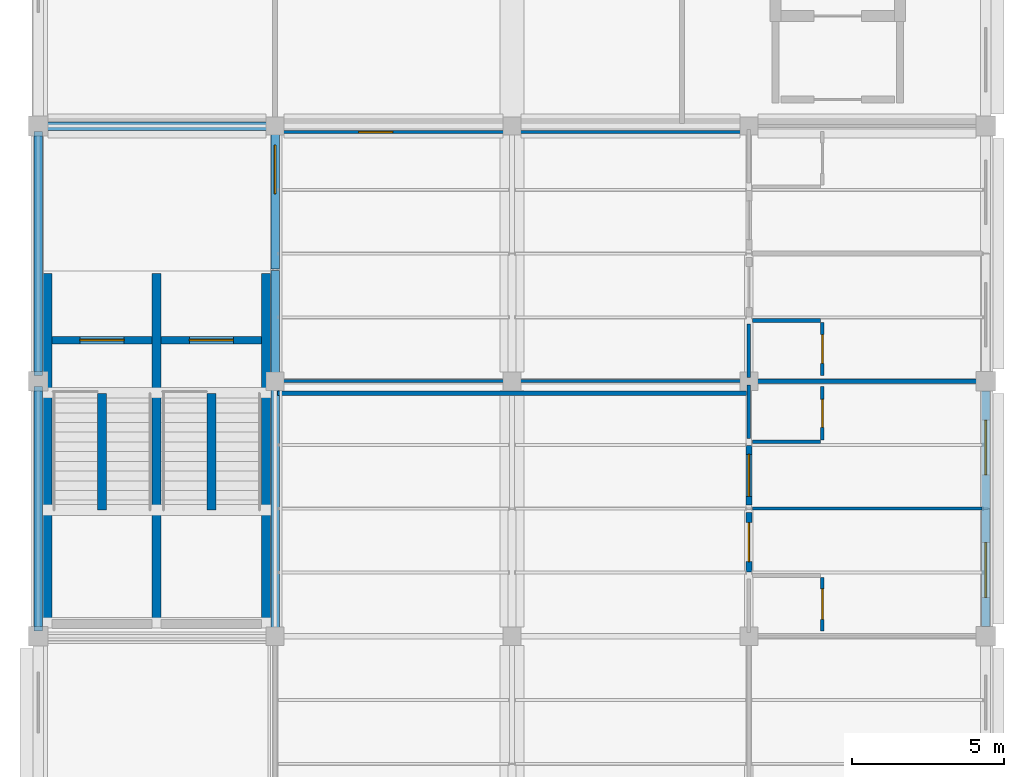
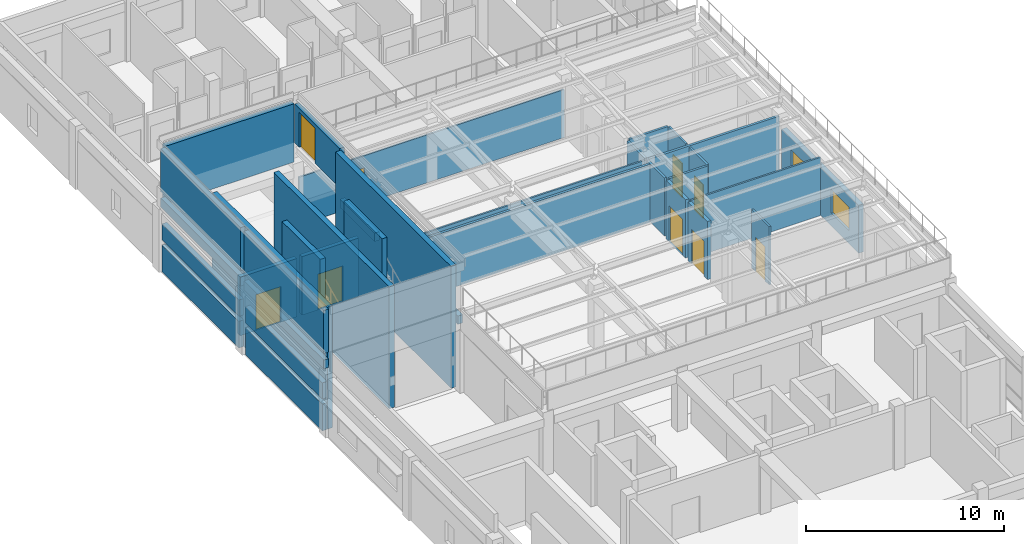
# One storey, part 16 of 20: 34 walls, 9 doors, 2 windows, 11 openings.
"""IFC4 building model written with IfcOpenShell, lengths in metres."""

from ifc_helpers import new_model, si_unit, direction, frame, frame_2d, origin, place, context, subcontext, project, spatial, rectangle, extrude, material, layer, layer_set, type_object, element, fill, save


model = new_model("IFC4")

# Units and contexts
model_context = context("Model", 3, precision=1e-05, world=origin(), true_north=direction((0.0, 1.0)))
body_context = subcontext(model_context, "Body", "Model", "MODEL_VIEW")
ifc_project = project(units=[si_unit("LENGTHUNIT", "METRE"), si_unit("AREAUNIT", "SQUARE_METRE"), si_unit("VOLUMEUNIT", "CUBIC_METRE"), si_unit("PLANEANGLEUNIT", "RADIAN"), si_unit("MASSUNIT", "GRAM", prefix="KILO"), si_unit("THERMODYNAMICTEMPERATUREUNIT", "KELVIN"), si_unit("POWERUNIT", "WATT")], contexts=[model_context])

# Site, building, storey
site_placement = place(None, origin())
site = spatial("IfcSite", under=ifc_project, at=site_placement, CompositionType="ELEMENT")
building_placement = place(site_placement, origin())
building = spatial("IfcBuilding", under=site, at=building_placement, Name="Srebrne Nadtorze General Hospital", CompositionType="ELEMENT")
storey_placement = place(building_placement, frame((0.0, 0.0, 33.89990234375)))
storey = spatial("IfcBuildingStorey", under=building, at=storey_placement, Name="L08", CompositionType="ELEMENT", Elevation=33.89990234375)

# Walls
ifc_material_1 = material(Name="Gypsum Healthcare Partition")
ifc_layer_1 = layer(ifc_material_1, 0.139892578125)
ifc_layer_set_1 = layer_set([ifc_layer_1], Name="Gypsum Healthcare Partition")
wall_type_1 = type_object("IfcWallType", Name="Clinical partition 140", PredefinedType="PARTITIONING", material=ifc_layer_set_1)
wall_1_placement = place(storey_placement, frame((46.919921875, 67.199951171875, 0.0), z_axis=(0.0, 0.0, 1.0), x_axis=(1.0, 0.0, 0.0)))
element("IfcWall", 1, at=wall_1_placement, inside=storey, type_object=wall_type_1, Name="Ward inter-room partition WL-INT-L08-2506", PredefinedType="PARTITIONING", context=body_context, shape_type="SweptSolid", body=[
    extrude(rectangle(XDim=7.56005859375, YDim=0.139892578125, at=frame_2d((3.780029296875, 0.0))), origin(), (0.0, 0.0, 1.0), 3.580078125),
])
wall_2_placement = place(storey_placement, frame((31.284912109375, 66.800048828125, 0.0), z_axis=(0.0, 0.0, 1.0), x_axis=(1.0, 0.0, 0.0)))
element("IfcWall", 2, at=wall_2_placement, inside=storey, type_object=wall_type_1, Name="Trauma Transfer Suite wall WL-INT-L08-2522", PredefinedType="PARTITIONING", context=body_context, shape_type="SweptSolid", body=[
    extrude(rectangle(XDim=15.43017578125, YDim=0.139892578125, at=frame_2d((7.715087890625, 0.0))), origin(), (0.0, 0.0, 1.0), 3.580078125),
])

# Wall, opening, door
ifc_material_2 = material(Name="Gypsum Healthcare Partition")
ifc_layer_2 = layer(ifc_material_2, 0.199951171875)
ifc_layer_set_2 = layer_set([ifc_layer_2], Name="Gypsum Healthcare Partition")
wall_type_2 = type_object("IfcWallType", Name="Compartment wall 200", PredefinedType="STANDARD", material=ifc_layer_set_2)
wall_3_placement = place(storey_placement, frame((46.800048828125, 60.919921875, 0.0), z_axis=(0.0, 0.0, 1.0), x_axis=(0.0, 1.0, 0.0)))
wall_3 = element("IfcWall", 3, at=wall_3_placement, inside=storey, type_object=wall_type_2, Name="Ward corridor wall WL-INT-L08-2502", PredefinedType="STANDARD", context=body_context, shape_type="SweptSolid", body=[
    extrude(rectangle(XDim=1.9599609375, YDim=0.199951171875, at=frame_2d((0.97998046875, 0.0))), origin(), (0.0, 0.0, 1.0), 3.580078125),
])
opening_1_placement = place(wall_3_placement, frame((0.340087890625, 0.0, 0.0)))
opening_1 = element("IfcOpeningElement", 4, at=opening_1_placement, cuts=wall_3, Name="Opening D-L08-0585", PredefinedType="OPENING", context=body_context, shape_type="SweptSolid", body=[
    extrude(rectangle(XDim=1.280029296875, YDim=2.14990234375, at=frame_2d((0.64013671875, 1.074951171875))), frame((0.0, 0.11181640625, 0.0), z_axis=(0.0, -1.0, 0.0), x_axis=(1.0, 0.0, 0.0)), (0.0, 0.0, 1.0), 0.223876953125),
])
ifc_material_3 = material(Name="Anodised Aluminium", Category="aluminium")
door_type_1 = type_object("IfcDoorType", Name="Single leaf door 1280x2150", OperationType="NOTDEFINED", PredefinedType="DOOR", material=ifc_material_3)
door_1_placement = place(opening_1_placement, frame((1.280029296875, 0.0, 0.0), z_axis=(0.0, 0.0, 1.0), x_axis=(-1.0, 0.0, 0.0)))
door_1 = element("IfcDoor", 5, at=door_1_placement, inside=storey, type_object=door_type_1, Name="Ward patient room door D-L08-0585", OperationType="SINGLE_SWING_LEFT", OverallHeight=2.14990234375, OverallWidth=1.280029296875, PredefinedType="DOOR", context=body_context, shape_type="SweptSolid", body=[
    extrude(rectangle(XDim=1.280029296875, YDim=2.14990234375, at=frame_2d((0.64013671875, 1.074951171875))), frame((0.0, 0.02490234375, 0.0), z_axis=(0.0, -1.0, 0.0), x_axis=(1.0, 0.0, 0.0)), (0.0, 0.0, 1.0), 0.050048828125),
])
fill(opening_1, door_1)

wall_4_placement = place(storey_placement, frame((46.800048828125, 63.1201171875, 0.0), z_axis=(0.0, 0.0, 1.0), x_axis=(0.0, 1.0, 0.0)))
wall_4 = element("IfcWall", 6, at=wall_4_placement, inside=storey, type_object=wall_type_2, Name="Ward corridor wall WL-INT-L08-2507", PredefinedType="STANDARD", context=body_context, shape_type="SweptSolid", body=[
    extrude(rectangle(XDim=1.9599609375, YDim=0.199951171875, at=frame_2d((0.97998046875, 0.0))), origin(), (0.0, 0.0, 1.0), 3.580078125),
])
opening_2_placement = place(wall_4_placement, frame((0.2900390625, 0.0, 0.0)))
opening_2 = element("IfcOpeningElement", 7, at=opening_2_placement, cuts=wall_4, Name="Opening D-L08-0587", PredefinedType="OPENING", context=body_context, shape_type="SweptSolid", body=[
    extrude(rectangle(XDim=1.3798828125, YDim=2.199951171875, at=frame_2d((0.68994140625, 1.10009765625))), frame((0.0, 0.11181640625, 0.0), z_axis=(0.0, -1.0, 0.0), x_axis=(1.0, 0.0, 0.0)), (0.0, 0.0, 1.0), 0.223876953125),
])
ifc_material_4 = material(Name="Anodised Aluminium", Category="aluminium")
door_type_2 = type_object("IfcDoorType", Name="Single leaf door 1380x2200", OperationType="NOTDEFINED", PredefinedType="DOOR", material=ifc_material_4)
door_2_placement = place(opening_2_placement, frame((1.3798828125, 0.0, 0.0), z_axis=(0.0, 0.0, 1.0), x_axis=(-1.0, 0.0, 0.0)))
door_2 = element("IfcDoor", 8, at=door_2_placement, inside=storey, type_object=door_type_2, Name="Ward patient room door D-L08-0587", OperationType="SINGLE_SWING_LEFT", OverallHeight=2.199951171875, OverallWidth=1.3798828125, PredefinedType="DOOR", context=body_context, shape_type="SweptSolid", body=[
    extrude(rectangle(XDim=1.3798828125, YDim=2.199951171875, at=frame_2d((0.68994140625, 1.10009765625))), frame((0.0, 0.02490234375, 0.0), z_axis=(0.0, -1.0, 0.0), x_axis=(1.0, 0.0, 0.0)), (0.0, 0.0, 1.0), 0.050048828125),
])
fill(opening_2, door_2)

ifc_material_5 = material(Name="Gypsum Healthcare Partition")
ifc_layer_3 = layer(ifc_material_5, 0.239990234375)
ifc_layer_set_3 = layer_set([ifc_layer_3], Name="Gypsum Healthcare Partition")
wall_type_3 = type_object("IfcWallType", Name="Corridor fire wall 240", PredefinedType="STANDARD", material=ifc_layer_set_3)
wall_5_placement = place(storey_placement, frame((23.85009765625, 68.550048828125, 0.0), z_axis=(0.0, 0.0, 1.0), x_axis=(1.0, 0.0, 0.0)))
wall_5 = element("IfcWall", 9, at=wall_5_placement, inside=storey, type_object=wall_type_3, Name="Helipad stair lower entry wall ST-09 WL-INT-L08-0461", PredefinedType="STANDARD", context=body_context, shape_type="SweptSolid", body=[
    extrude(rectangle(XDim=3.2998046875, YDim=0.239990234375, at=frame_2d((1.64990234375, 0.0))), origin(), (0.0, 0.0, 1.0), 3.60009765625),
])
opening_3_placement = place(wall_5_placement, frame((0.925048828125, 0.0, 0.0)))
opening_3 = element("IfcOpeningElement", 10, at=opening_3_placement, cuts=wall_5, Name="Opening D-L08-0115", PredefinedType="OPENING", context=body_context, shape_type="SweptSolid", body=[
    extrude(rectangle(XDim=1.449951171875, YDim=2.199951171875, at=frame_2d((0.72509765625, 1.10009765625))), frame((0.0, 0.1318359375, 0.0), z_axis=(0.0, -1.0, 0.0), x_axis=(1.0, 0.0, 0.0)), (0.0, 0.0, 1.0), 0.263916015625),
])
ifc_material_6 = material(Name="Anodised Aluminium", Category="aluminium")
door_type_3 = type_object("IfcDoorType", Name="Double leaf door 1450x2200", OperationType="DOUBLE_DOOR_SINGLE_SWING", PredefinedType="DOOR", material=ifc_material_6)
door_3_placement = place(opening_3_placement, origin())
door_3 = element("IfcDoor", 11, at=door_3_placement, inside=storey, type_object=door_type_3, Name="Helipad stair lower door ST-09 D-L08-0115", OperationType="DOUBLE_DOOR_SINGLE_SWING", OverallHeight=2.199951171875, OverallWidth=1.449951171875, PredefinedType="DOOR", context=body_context, shape_type="SweptSolid", body=[
    extrude(rectangle(XDim=1.449951171875, YDim=2.199951171875, at=frame_2d((0.72509765625, 1.10009765625))), frame((0.0, 0.02490234375, 0.0), z_axis=(0.0, -1.0, 0.0), x_axis=(1.0, 0.0, 0.0)), (0.0, 0.0, 1.0), 0.050048828125),
])
fill(opening_3, door_3)

wall_6_placement = place(storey_placement, frame((27.449951171875, 68.550048828125, 0.0), z_axis=(0.0, 0.0, 1.0), x_axis=(1.0, 0.0, 0.0)))
wall_6 = element("IfcWall", 12, at=wall_6_placement, inside=storey, type_object=wall_type_3, Name="Helipad stair lower entry wall ST-10 WL-INT-L08-0465", PredefinedType="STANDARD", context=body_context, shape_type="SweptSolid", body=[
    extrude(rectangle(XDim=3.300048828125, YDim=0.239990234375, at=frame_2d((1.64990234375, 0.0))), origin(), (0.0, 0.0, 1.0), 3.60009765625),
])
opening_4_placement = place(wall_6_placement, frame((0.925048828125, 0.0, 0.0)))
opening_4 = element("IfcOpeningElement", 13, at=opening_4_placement, cuts=wall_6, Name="Opening D-L08-0116", PredefinedType="OPENING", context=body_context, shape_type="SweptSolid", body=[
    extrude(rectangle(XDim=1.449951171875, YDim=2.199951171875, at=frame_2d((0.72509765625, 1.10009765625))), frame((0.0, 0.1318359375, 0.0), z_axis=(0.0, -1.0, 0.0), x_axis=(1.0, 0.0, 0.0)), (0.0, 0.0, 1.0), 0.263916015625),
])
door_4_placement = place(opening_4_placement, origin())
door_4 = element("IfcDoor", 14, at=door_4_placement, inside=storey, type_object=door_type_3, Name="Helipad stair lower door ST-10 D-L08-0116", OperationType="DOUBLE_DOOR_SINGLE_SWING", OverallHeight=2.199951171875, OverallWidth=1.449951171875, PredefinedType="DOOR", context=body_context, shape_type="SweptSolid", body=[
    extrude(rectangle(XDim=1.449951171875, YDim=2.199951171875, at=frame_2d((0.72509765625, 1.10009765625))), frame((0.0, 0.02490234375, 0.0), z_axis=(0.0, -1.0, 0.0), x_axis=(1.0, 0.0, 0.0)), (0.0, 0.0, 1.0), 0.050048828125),
])
fill(opening_4, door_4)

ifc_material_7 = material(Name="Gypsum Healthcare Partition")
ifc_layer_4 = layer(ifc_material_7, 0.1201171875)
ifc_layer_set_4 = layer_set([ifc_layer_4], Name="Gypsum Healthcare Partition")
wall_type_4 = type_object("IfcWallType", Name="En-suite partition 120", PredefinedType="PARTITIONING", material=ifc_layer_set_4)
wall_7_placement = place(storey_placement, frame((49.219970703125, 58.97998046875, 0.0), z_axis=(0.0, 0.0, 1.0), x_axis=(0.0, 1.0, 0.0)))
wall_7 = element("IfcWall", 15, at=wall_7_placement, inside=storey, type_object=wall_type_4, Name="En-suite wet wall WL-INT-L08-2505", PredefinedType="PARTITIONING", context=body_context, shape_type="SweptSolid", body=[
    extrude(rectangle(XDim=1.760009765625, YDim=0.1201171875, at=frame_2d((0.8798828125, 0.0))), origin(), (0.0, 0.0, 1.0), 3.580078125),
])
opening_5_placement = place(wall_7_placement, frame((0.3798828125, 0.0, 0.0)))
opening_5 = element("IfcOpeningElement", 16, at=opening_5_placement, cuts=wall_7, Name="Opening D-L08-0586", PredefinedType="OPENING", context=body_context, shape_type="SweptSolid", body=[
    extrude(rectangle(XDim=1.0, YDim=2.10009765625, at=frame_2d((0.5, 1.050048828125))), frame((0.0, 0.072021484375, 0.0), z_axis=(0.0, -1.0, 0.0), x_axis=(1.0, 0.0, 0.0)), (0.0, 0.0, 1.0), 0.14404296875),
])
ifc_material_8 = material(Name="Anodised Aluminium", Category="aluminium")
door_type_4 = type_object("IfcDoorType", Name="Single leaf door 1000x2100", OperationType="NOTDEFINED", PredefinedType="DOOR", material=ifc_material_8)
door_5_placement = place(opening_5_placement, origin())
door_5 = element("IfcDoor", 17, at=door_5_placement, inside=storey, type_object=door_type_4, Name="En-suite bathroom door D-L08-0586", OperationType="SINGLE_SWING_LEFT", OverallHeight=2.10009765625, OverallWidth=1.0, PredefinedType="DOOR", context=body_context, shape_type="SweptSolid", body=[
    extrude(rectangle(XDim=1.0, YDim=2.10009765625, at=frame_2d((0.5, 1.050048828125))), frame((0.0, 0.02490234375, 0.0), z_axis=(0.0, -1.0, 0.0), x_axis=(1.0, 0.0, 0.0)), (0.0, 0.0, 1.0), 0.050048828125),
])
fill(opening_5, door_5)

# Walls
wall_8_placement = place(storey_placement, frame((46.800048828125, 65.320068359375, 0.0), z_axis=(0.0, 0.0, 1.0), x_axis=(0.0, 1.0, 0.0)))
element("IfcWall", 18, at=wall_8_placement, inside=storey, type_object=wall_type_4, Name="En-suite corridor wall WL-INT-L08-2508", PredefinedType="PARTITIONING", context=body_context, shape_type="SweptSolid", body=[
    extrude(rectangle(XDim=1.760009765625, YDim=0.1201171875, at=frame_2d((0.8798828125, 0.0))), origin(), (0.0, 0.0, 1.0), 3.580078125),
])
wall_9_placement = place(storey_placement, frame((46.919921875, 65.199951171875, 0.0), z_axis=(0.0, 0.0, 1.0), x_axis=(1.0, 0.0, 0.0)))
element("IfcWall", 19, at=wall_9_placement, inside=storey, type_object=wall_type_4, Name="En-suite wet wall WL-INT-L08-2509", PredefinedType="PARTITIONING", context=body_context, shape_type="SweptSolid", body=[
    extrude(rectangle(XDim=2.239990234375, YDim=0.1201171875, at=frame_2d((1.1201171875, 0.0))), origin(), (0.0, 0.0, 1.0), 3.580078125),
])

# Wall, opening, door
wall_10_placement = place(storey_placement, frame((49.219970703125, 65.260009765625, 0.0), z_axis=(0.0, 0.0, 1.0), x_axis=(0.0, 1.0, 0.0)))
wall_10 = element("IfcWall", 20, at=wall_10_placement, inside=storey, type_object=wall_type_4, Name="En-suite wet wall WL-INT-L08-2510", PredefinedType="PARTITIONING", context=body_context, shape_type="SweptSolid", body=[
    extrude(rectangle(XDim=1.760009765625, YDim=0.1201171875, at=frame_2d((0.8798828125, 0.0))), origin(), (0.0, 0.0, 1.0), 3.580078125),
])
opening_6_placement = place(wall_10_placement, frame((0.419921875, 0.0, 0.0)))
opening_6 = element("IfcOpeningElement", 21, at=opening_6_placement, cuts=wall_10, Name="Opening D-L08-0588", PredefinedType="OPENING", context=body_context, shape_type="SweptSolid", body=[
    extrude(rectangle(XDim=0.919921875, YDim=2.080078125, at=frame_2d((0.4599609375, 1.0400390625))), frame((0.0, 0.072021484375, 0.0), z_axis=(0.0, -1.0, 0.0), x_axis=(1.0, 0.0, 0.0)), (0.0, 0.0, 1.0), 0.14404296875),
])
ifc_material_9 = material(Name="Anodised Aluminium", Category="aluminium")
door_type_5 = type_object("IfcDoorType", Name="Single leaf door 920x2080", OperationType="NOTDEFINED", PredefinedType="DOOR", material=ifc_material_9)
door_6_placement = place(opening_6_placement, origin())
door_6 = element("IfcDoor", 22, at=door_6_placement, inside=storey, type_object=door_type_5, Name="En-suite bathroom door D-L08-0588", OperationType="SINGLE_SWING_LEFT", OverallHeight=2.080078125, OverallWidth=0.919921875, PredefinedType="DOOR", context=body_context, shape_type="SweptSolid", body=[
    extrude(rectangle(XDim=0.919921875, YDim=2.080078125, at=frame_2d((0.4599609375, 1.0400390625))), frame((0.0, 0.02490234375, 0.0), z_axis=(0.0, -1.0, 0.0), x_axis=(1.0, 0.0, 0.0)), (0.0, 0.0, 1.0), 0.050048828125),
])
fill(opening_6, door_6)

# Walls
wall_11_placement = place(storey_placement, frame((46.800048828125, 67.320068359375, 0.0), z_axis=(0.0, 0.0, 1.0), x_axis=(0.0, 1.0, 0.0)))
element("IfcWall", 23, at=wall_11_placement, inside=storey, type_object=wall_type_4, Name="En-suite corridor wall WL-INT-L08-2513", PredefinedType="PARTITIONING", context=body_context, shape_type="SweptSolid", body=[
    extrude(rectangle(XDim=1.760009765625, YDim=0.1201171875, at=frame_2d((0.8798828125, 0.0))), origin(), (0.0, 0.0, 1.0), 3.580078125),
])
wall_12_placement = place(storey_placement, frame((46.919921875, 69.199951171875, 0.0), z_axis=(0.0, 0.0, 1.0), x_axis=(1.0, 0.0, 0.0)))
element("IfcWall", 24, at=wall_12_placement, inside=storey, type_object=wall_type_4, Name="En-suite wet wall WL-INT-L08-2514", PredefinedType="PARTITIONING", context=body_context, shape_type="SweptSolid", body=[
    extrude(rectangle(XDim=2.239990234375, YDim=0.1201171875, at=frame_2d((1.1201171875, 0.0))), origin(), (0.0, 0.0, 1.0), 3.580078125),
])

# Wall, opening, door
wall_13_placement = place(storey_placement, frame((49.219970703125, 67.3798828125, 0.0), z_axis=(0.0, 0.0, 1.0), x_axis=(0.0, 1.0, 0.0)))
wall_13 = element("IfcWall", 25, at=wall_13_placement, inside=storey, type_object=wall_type_4, Name="En-suite wet wall WL-INT-L08-2515", PredefinedType="PARTITIONING", context=body_context, shape_type="SweptSolid", body=[
    extrude(rectangle(XDim=1.760009765625, YDim=0.1201171875, at=frame_2d((0.8798828125, 0.0))), origin(), (0.0, 0.0, 1.0), 3.580078125),
])
opening_7_placement = place(wall_13_placement, frame((0.405029296875, 0.0, 0.0)))
opening_7 = element("IfcOpeningElement", 26, at=opening_7_placement, cuts=wall_13, Name="Opening D-L08-0590", PredefinedType="OPENING", context=body_context, shape_type="SweptSolid", body=[
    extrude(rectangle(XDim=0.949951171875, YDim=2.10009765625, at=frame_2d((0.47509765625, 1.050048828125))), frame((0.0, 0.072021484375, 0.0), z_axis=(0.0, -1.0, 0.0), x_axis=(1.0, 0.0, 0.0)), (0.0, 0.0, 1.0), 0.14404296875),
])
ifc_material_10 = material(Name="Anodised Aluminium", Category="aluminium")
door_type_6 = type_object("IfcDoorType", Name="Single leaf door 950x2100", OperationType="NOTDEFINED", PredefinedType="DOOR", material=ifc_material_10)
door_7_placement = place(opening_7_placement, origin())
door_7 = element("IfcDoor", 27, at=door_7_placement, inside=storey, type_object=door_type_6, Name="En-suite bathroom door D-L08-0590", OperationType="SINGLE_SWING_LEFT", OverallHeight=2.10009765625, OverallWidth=0.949951171875, PredefinedType="DOOR", context=body_context, shape_type="SweptSolid", body=[
    extrude(rectangle(XDim=0.949951171875, YDim=2.10009765625, at=frame_2d((0.47509765625, 1.050048828125))), frame((0.0, 0.02490234375, 0.0), z_axis=(0.0, -1.0, 0.0), x_axis=(1.0, 0.0, 0.0)), (0.0, 0.0, 1.0), 0.050048828125),
])
fill(opening_7, door_7)

# Wall
ifc_material_11 = material(Name="Gypsum Healthcare Partition")
ifc_layer_5 = layer(ifc_material_11, 0.10009765625)
ifc_layer_set_5 = layer_set([ifc_layer_5], Name="Gypsum Healthcare Partition")
wall_type_5 = type_object("IfcWallType", Name="Shaft lining wall 100", PredefinedType="PARTITIONING", material=ifc_layer_set_5)
wall_14_placement = place(storey_placement, frame((46.919921875, 63.0, 0.0), z_axis=(0.0, 0.0, 1.0), x_axis=(1.0, 0.0, 0.0)))
element("IfcWall", 28, at=wall_14_placement, inside=storey, type_object=wall_type_5, Name="Ward inter-room partition WL-INT-L08-2501", PredefinedType="PARTITIONING", context=body_context, shape_type="SweptSolid", body=[
    extrude(rectangle(XDim=7.56005859375, YDim=0.10009765625, at=frame_2d((3.780029296875, 0.0))), origin(), (0.0, 0.0, 1.0), 3.580078125),
])

# Wall, opening, door
wall_15_placement = place(storey_placement, frame((31.284912109375, 75.39990234375, 0.0), z_axis=(0.0, 0.0, 1.0), x_axis=(1.0, 0.0, 0.0)))
wall_15 = element("IfcWall", 29, at=wall_15_placement, inside=storey, type_object=wall_type_5, Name="Aviation Emergency Resuscitation Unit wall WL-INT-L08-2525", PredefinedType="PARTITIONING", context=body_context, shape_type="SweptSolid", body=[
    extrude(rectangle(XDim=15.43017578125, YDim=0.10009765625, at=frame_2d((7.715087890625, 0.0))), origin(), (0.0, 0.0, 1.0), 2.9501953125),
])
opening_8_placement = place(wall_15_placement, frame((2.666748046875, 0.0, 0.0)))
opening_8 = element("IfcOpeningElement", 30, at=opening_8_placement, cuts=wall_15, Name="Opening D-L08-0594", PredefinedType="OPENING", context=body_context, shape_type="SweptSolid", body=[
    extrude(rectangle(XDim=1.1201171875, YDim=2.199951171875, at=frame_2d((0.56005859375, 1.10009765625))), frame((0.0, 0.06201171875, 0.0), z_axis=(0.0, -1.0, 0.0), x_axis=(1.0, 0.0, 0.0)), (0.0, 0.0, 1.0), 0.1240234375),
])
ifc_material_12 = material(Name="Anodised Aluminium", Category="aluminium")
door_type_7 = type_object("IfcDoorType", Name="Single leaf door 1120x2200", OperationType="NOTDEFINED", PredefinedType="DOOR", material=ifc_material_12)
door_8_placement = place(opening_8_placement, frame((1.1201171875, 0.0, 0.0), z_axis=(0.0, 0.0, 1.0), x_axis=(-1.0, 0.0, 0.0)))
door_8 = element("IfcDoor", 31, at=door_8_placement, inside=storey, type_object=door_type_7, Name="Aviation Emergency Resuscitation Unit door D-L08-0594", OperationType="SINGLE_SWING_RIGHT", OverallHeight=2.199951171875, OverallWidth=1.1201171875, PredefinedType="DOOR", context=body_context, shape_type="SweptSolid", body=[
    extrude(rectangle(XDim=1.1201171875, YDim=2.199951171875, at=frame_2d((0.56005859375, 1.10009765625))), frame((0.0, 0.02490234375, 0.0), z_axis=(0.0, -1.0, 0.0), x_axis=(1.0, 0.0, 0.0)), (0.0, 0.0, 1.0), 0.050048828125),
])
fill(opening_8, door_8)

# Walls
wall_16_placement = place(storey_placement, frame((31.284912109375, 67.199951171875, 0.0), z_axis=(0.0, 0.0, 1.0), x_axis=(1.0, 0.0, 0.0)))
element("IfcWall", 32, at=wall_16_placement, inside=storey, type_object=wall_type_5, Name="Aviation Emergency Resuscitation Unit wall WL-INT-L08-2526", PredefinedType="PARTITIONING", context=body_context, shape_type="SweptSolid", body=[
    extrude(rectangle(XDim=15.43017578125, YDim=0.10009765625, at=frame_2d((7.715087890625, 0.0))), origin(), (0.0, 0.0, 1.0), 3.580078125),
])
ifc_material_13 = material(Name="Concrete C35/45 precast", Category="concrete")
ifc_layer_6 = layer(ifc_material_13, 0.280029296875)
ifc_layer_set_6 = layer_set([ifc_layer_6], Name="Concrete C35/45 precast")
wall_type_6 = type_object("IfcWallType", Name="Spandrel wall 280", PredefinedType="STANDARD", material=ifc_layer_set_6)
wall_17_placement = place(storey_placement, frame((23.39990234375, 59.125, 0.0), z_axis=(0.0, 0.0, 1.0), x_axis=(0.0, 1.0, 0.0)))
element("IfcWall", 33, at=wall_17_placement, inside=storey, type_object=wall_type_6, Name="Exterior wall WL-ENV-L08-0561", PredefinedType="STANDARD", context=body_context, shape_type="SweptSolid", body=[
    extrude(rectangle(XDim=7.75, YDim=0.280029296875, at=frame_2d((3.875, 0.0))), origin(), (0.0, 0.0, 1.0), 1.64013671875),
])
wall_18_placement = place(storey_placement, frame((23.39990234375, 59.125, 1.9501953125), z_axis=(0.0, 0.0, 1.0), x_axis=(0.0, 1.0, 0.0)))
element("IfcWall", 34, at=wall_18_placement, inside=storey, type_object=wall_type_6, Name="Exterior wall WL-ENV-L08-0561 upper", PredefinedType="STANDARD", context=body_context, shape_type="SweptSolid", body=[
    extrude(rectangle(XDim=7.75, YDim=0.280029296875, at=frame_2d((3.875, 0.0))), origin(), (0.0, 0.0, 1.0), 1.0),
])
wall_19_placement = place(storey_placement, frame((23.39990234375, 67.52490234375, 0.0), z_axis=(0.0, 0.0, 1.0), x_axis=(0.0, 1.0, 0.0)))
element("IfcWall", 35, at=wall_19_placement, inside=storey, type_object=wall_type_6, Name="Exterior wall WL-ENV-L08-0562", PredefinedType="STANDARD", context=body_context, shape_type="SweptSolid", body=[
    extrude(rectangle(XDim=7.75, YDim=0.280029296875, at=frame_2d((3.875, 0.0))), origin(), (0.0, 0.0, 1.0), 1.64013671875),
])
wall_20_placement = place(storey_placement, frame((23.39990234375, 67.52490234375, 1.9501953125), z_axis=(0.0, 0.0, 1.0), x_axis=(0.0, 1.0, 0.0)))
element("IfcWall", 36, at=wall_20_placement, inside=storey, type_object=wall_type_6, Name="Exterior wall WL-ENV-L08-0562 upper", PredefinedType="STANDARD", context=body_context, shape_type="SweptSolid", body=[
    extrude(rectangle(XDim=7.75, YDim=0.280029296875, at=frame_2d((3.875, 0.0))), origin(), (0.0, 0.0, 1.0), 1.0),
])

# Wall, openings, windows
wall_21_placement = place(storey_placement, frame((54.60009765625, 59.125, 0.0), z_axis=(0.0, 0.0, 1.0), x_axis=(0.0, 1.0, 0.0)))
wall_21 = element("IfcWall", 37, at=wall_21_placement, inside=storey, type_object=wall_type_6, Name="Exterior wall WL-ENV-L08-0566", PredefinedType="STANDARD", context=body_context, shape_type="SweptSolid", body=[
    extrude(rectangle(XDim=7.75, YDim=0.280029296875, at=frame_2d((3.875, 0.0))), origin(), (0.0, 0.0, 1.0), 2.9501953125),
])
opening_9_placement = place(wall_21_placement, frame((0.958984375, 0.0, 0.800048828125)))
opening_9 = element("IfcOpeningElement", 38, at=opening_9_placement, cuts=wall_21, Name="Opening WN-L08-0950", PredefinedType="OPENING", context=body_context, shape_type="SweptSolid", body=[
    extrude(rectangle(XDim=1.800048828125, YDim=1.449951171875, at=frame_2d((0.89990234375, 0.72509765625))), frame((0.0, 0.15185546875, 0.0), z_axis=(0.0, -1.0, 0.0), x_axis=(1.0, 0.0, 0.0)), (0.0, 0.0, 1.0), 0.303955078125),
])
opening_10_placement = place(wall_21_placement, frame((4.990966796875, 0.0, 0.800048828125)))
opening_10 = element("IfcOpeningElement", 39, at=opening_10_placement, cuts=wall_21, Name="Opening WN-L08-0951", PredefinedType="OPENING", context=body_context, shape_type="SweptSolid", body=[
    extrude(rectangle(XDim=1.800048828125, YDim=1.449951171875, at=frame_2d((0.89990234375, 0.72509765625))), frame((0.0, 0.15185546875, 0.0), z_axis=(0.0, -1.0, 0.0), x_axis=(1.0, 0.0, 0.0)), (0.0, 0.0, 1.0), 0.303955078125),
])
ifc_material_14 = material(Name="Triple Low-E Glazing", Category="glass")
window_type = type_object("IfcWindowType", Name="Punched clinical window 1800x1450", PartitioningType="DOUBLE_PANEL_VERTICAL", PredefinedType="WINDOW", material=ifc_material_14)
window_1_placement = place(opening_9_placement, origin())
window_1 = element("IfcWindow", 40, at=window_1_placement, inside=storey, type_object=window_type, Name="Clinical window WN-L08-0950", OverallHeight=1.449951171875, OverallWidth=1.800048828125, PartitioningType="DOUBLE_PANEL_VERTICAL", PredefinedType="WINDOW", context=body_context, shape_type="SweptSolid", body=[
    extrude(rectangle(XDim=1.800048828125, YDim=1.449951171875, at=frame_2d((0.89990234375, 0.72509765625))), frame((0.0, 0.030029296875, 0.0), z_axis=(0.0, -1.0, 0.0), x_axis=(1.0, 0.0, 0.0)), (0.0, 0.0, 1.0), 0.06005859375),
])
fill(opening_9, window_1)
window_2_placement = place(opening_10_placement, origin())
window_2 = element("IfcWindow", 41, at=window_2_placement, inside=storey, type_object=window_type, Name="Clinical window WN-L08-0951", OverallHeight=1.449951171875, OverallWidth=1.800048828125, PartitioningType="DOUBLE_PANEL_VERTICAL", PredefinedType="WINDOW", context=body_context, shape_type="SweptSolid", body=[
    extrude(rectangle(XDim=1.800048828125, YDim=1.449951171875, at=frame_2d((0.89990234375, 0.72509765625))), frame((0.0, 0.030029296875, 0.0), z_axis=(0.0, -1.0, 0.0), x_axis=(1.0, 0.0, 0.0)), (0.0, 0.0, 1.0), 0.06005859375),
])
fill(opening_10, window_2)

# Walls
wall_22_placement = place(storey_placement, frame((23.550048828125, 75.60009765625, 3.900146484375), z_axis=(0.0, 0.0, 1.0), x_axis=(1.0, 0.0, 0.0)))
element("IfcWall", 42, at=wall_22_placement, inside=storey, type_object=wall_type_6, Name="Helipad vestibule wall N", PredefinedType="STANDARD", context=body_context, shape_type="SweptSolid", body=[
    extrude(rectangle(XDim=7.5, YDim=0.280029296875, at=frame_2d((3.75, 0.0))), origin(), (0.0, 0.0, 1.0), 3.58984375),
])
wall_23_placement = place(storey_placement, frame((23.39990234375, 58.97998046875, 3.900146484375), z_axis=(0.0, 0.0, 1.0), x_axis=(0.0, 1.0, 0.0)))
element("IfcWall", 43, at=wall_23_placement, inside=storey, type_object=wall_type_6, Name="Helipad vestibule wall W1", PredefinedType="STANDARD", context=body_context, shape_type="SweptSolid", body=[
    extrude(rectangle(XDim=8.0400390625, YDim=0.280029296875, at=frame_2d((4.02001953125, 0.0))), origin(), (0.0, 0.0, 1.0), 0.5400390625),
])
wall_24_placement = place(storey_placement, frame((23.39990234375, 58.97998046875, 4.840087890625), z_axis=(0.0, 0.0, 1.0), x_axis=(0.0, 1.0, 0.0)))
element("IfcWall", 44, at=wall_24_placement, inside=storey, type_object=wall_type_6, Name="Helipad vestibule wall W1U", PredefinedType="STANDARD", context=body_context, shape_type="SweptSolid", body=[
    extrude(rectangle(XDim=8.0400390625, YDim=0.280029296875, at=frame_2d((4.02001953125, 0.0))), origin(), (0.0, 0.0, 1.0), 2.64990234375),
])
wall_25_placement = place(storey_placement, frame((23.39990234375, 67.3798828125, 3.900146484375), z_axis=(0.0, 0.0, 1.0), x_axis=(0.0, 1.0, 0.0)))
element("IfcWall", 45, at=wall_25_placement, inside=storey, type_object=wall_type_6, Name="Helipad vestibule wall W2", PredefinedType="STANDARD", context=body_context, shape_type="SweptSolid", body=[
    extrude(rectangle(XDim=8.0400390625, YDim=0.280029296875, at=frame_2d((4.02001953125, 0.0))), origin(), (0.0, 0.0, 1.0), 0.5400390625),
])
wall_26_placement = place(storey_placement, frame((23.39990234375, 67.3798828125, 4.840087890625), z_axis=(0.0, 0.0, 1.0), x_axis=(0.0, 1.0, 0.0)))
element("IfcWall", 46, at=wall_26_placement, inside=storey, type_object=wall_type_6, Name="Helipad vestibule wall W2U", PredefinedType="STANDARD", context=body_context, shape_type="SweptSolid", body=[
    extrude(rectangle(XDim=8.0400390625, YDim=0.280029296875, at=frame_2d((4.02001953125, 0.0))), origin(), (0.0, 0.0, 1.0), 2.64990234375),
])
wall_27_placement = place(storey_placement, frame((31.199951171875, 58.97998046875, 3.900146484375), z_axis=(0.0, 0.0, 1.0), x_axis=(0.0, 1.0, 0.0)))
element("IfcWall", 47, at=wall_27_placement, inside=storey, type_object=wall_type_6, Name="Helipad vestibule wall E1", PredefinedType="STANDARD", context=body_context, shape_type="SweptSolid", body=[
    extrude(rectangle(XDim=8.0400390625, YDim=0.280029296875, at=frame_2d((4.02001953125, 0.0))), origin(), (0.0, 0.0, 1.0), 0.52001953125),
])
wall_28_placement = place(storey_placement, frame((31.199951171875, 67.3798828125, 3.900146484375), z_axis=(0.0, 0.0, 1.0), x_axis=(0.0, 1.0, 0.0)))
element("IfcWall", 48, at=wall_28_placement, inside=storey, type_object=wall_type_6, Name="Helipad vestibule wall E1B", PredefinedType="STANDARD", context=body_context, shape_type="SweptSolid", body=[
    extrude(rectangle(XDim=3.47021484375, YDim=0.280029296875, at=frame_2d((1.735107421875, 0.0))), origin(), (0.0, 0.0, 1.0), 0.52001953125),
])

# Wall, opening, door
wall_29_placement = place(storey_placement, frame((31.199951171875, 70.89990234375, 5.10009765625), z_axis=(0.0, 0.0, 1.0), x_axis=(0.0, 1.0, 0.0)))
wall_29 = element("IfcWall", 49, at=wall_29_placement, inside=storey, type_object=wall_type_6, Name="Helipad vestibule wall E2", PredefinedType="STANDARD", context=body_context, shape_type="SweptSolid", body=[
    extrude(rectangle(XDim=4.52001953125, YDim=0.280029296875, at=frame_2d((2.260009765625, 0.0))), origin(), (0.0, 0.0, 1.0), 2.389892578125),
])
opening_11_placement = place(wall_29_placement, frame((2.469970703125, 0.0, 0.0)))
opening_11 = element("IfcOpeningElement", 50, at=opening_11_placement, cuts=wall_29, Name="Opening D-L08-HELIPAD", PredefinedType="OPENING", context=body_context, shape_type="SweptSolid", body=[
    extrude(rectangle(XDim=1.60009765625, YDim=2.14990234375, at=frame_2d((0.800048828125, 1.074951171875))), frame((0.0, 0.15185546875, 0.0), z_axis=(0.0, -1.0, 0.0), x_axis=(1.0, 0.0, 0.0)), (0.0, 0.0, 1.0), 0.303955078125),
])
ifc_material_15 = material(Name="Anodised Aluminium", Category="aluminium")
door_type_8 = type_object("IfcDoorType", Name="Double leaf door 1600x2150", OperationType="DOUBLE_DOOR_SINGLE_SWING", PredefinedType="DOOR", material=ifc_material_15)
door_9_placement = place(opening_11_placement, frame((1.60009765625, 0.0, 0.0), z_axis=(0.0, 0.0, 1.0), x_axis=(-1.0, 0.0, 0.0)))
door_9 = element("IfcDoor", 51, at=door_9_placement, inside=storey, type_object=door_type_8, Name="Helipad trauma stretcher door D-L08-HELIPAD", OperationType="DOUBLE_DOOR_SINGLE_SWING", OverallHeight=2.14990234375, OverallWidth=1.60009765625, PredefinedType="DOOR", context=body_context, shape_type="SweptSolid", body=[
    extrude(rectangle(XDim=1.60009765625, YDim=2.14990234375, at=frame_2d((0.800048828125, 1.074951171875))), frame((0.0, 0.02490234375, 0.0), z_axis=(0.0, -1.0, 0.0), x_axis=(1.0, 0.0, 0.0)), (0.0, 0.0, 1.0), 0.050048828125),
])
fill(opening_11, door_9)

# Walls
ifc_material_16 = material(Name="Concrete C40/50", Category="concrete")
ifc_layer_7 = layer(ifc_material_16, 0.300048828125)
ifc_layer_set_7 = layer_set([ifc_layer_7], Name="Concrete C40/50")
wall_type_7 = type_object("IfcWallType", Name="Structural spine wall 300", PredefinedType="SHEAR", material=ifc_layer_set_7)
for number, where, z_axis, x_axis, name in (
    (52, (23.699951171875, 59.1201171875, 0.0), (0.0, 0.0, 1.0), (0.0, 1.0, 0.0), "Helipad stair wall ST-09 WL-INT-L08-0457"),
    (53, (27.300048828125, 59.1201171875, 0.0), (0.0, 0.0, 1.0), (0.0, 1.0, 0.0), "Helipad stairs shared wall WL-INT-L08-0458"),
):
    element("IfcWall", number, at=place(storey_placement, frame(where, z_axis=z_axis, x_axis=x_axis)), inside=storey, type_object=wall_type_7, Name=name, PredefinedType="SHEAR", context=body_context, shape_type="SweptSolid", body=[
        extrude(rectangle(XDim=11.6298828125, YDim=0.300048828125, at=frame_2d((5.81494140625, 0.0))), origin(), (0.0, 0.0, 1.0), 7.489990234375),
    ])
wall_30_placement = place(storey_placement, frame((25.5, 62.9599609375, 0.0), z_axis=(0.0, 0.0, 1.0), x_axis=(0.0, 1.0, 0.0)))
element("IfcWall", 54, at=wall_30_placement, inside=storey, type_object=wall_type_7, Name="Helipad stair spine ST-09 WL-INT-L08-0460", PredefinedType="SHEAR", context=body_context, shape_type="SweptSolid", body=[
    extrude(rectangle(XDim=3.840087890625, YDim=0.300048828125, at=frame_2d((1.919921875, 0.0))), origin(), (0.0, 0.0, 1.0), 7.489990234375),
])
wall_31_placement = place(storey_placement, frame((30.89990234375, 59.1201171875, 0.0), z_axis=(0.0, 0.0, 1.0), x_axis=(0.0, 1.0, 0.0)))
element("IfcWall", 55, at=wall_31_placement, inside=storey, type_object=wall_type_7, Name="Helipad stair wall ST-10 WL-INT-L08-0462", PredefinedType="SHEAR", context=body_context, shape_type="SweptSolid", body=[
    extrude(rectangle(XDim=11.6298828125, YDim=0.300048828125, at=frame_2d((5.81494140625, 0.0))), origin(), (0.0, 0.0, 1.0), 7.489990234375),
])
wall_32_placement = place(storey_placement, frame((29.10009765625, 62.9599609375, 0.0), z_axis=(0.0, 0.0, 1.0), x_axis=(0.0, 1.0, 0.0)))
element("IfcWall", 56, at=wall_32_placement, inside=storey, type_object=wall_type_7, Name="Helipad stair spine ST-10 WL-INT-L08-0464", PredefinedType="SHEAR", context=body_context, shape_type="SweptSolid", body=[
    extrude(rectangle(XDim=3.840087890625, YDim=0.300048828125, at=frame_2d((1.919921875, 0.0))), origin(), (0.0, 0.0, 1.0), 7.489990234375),
])

save(model, "model.ifc")
